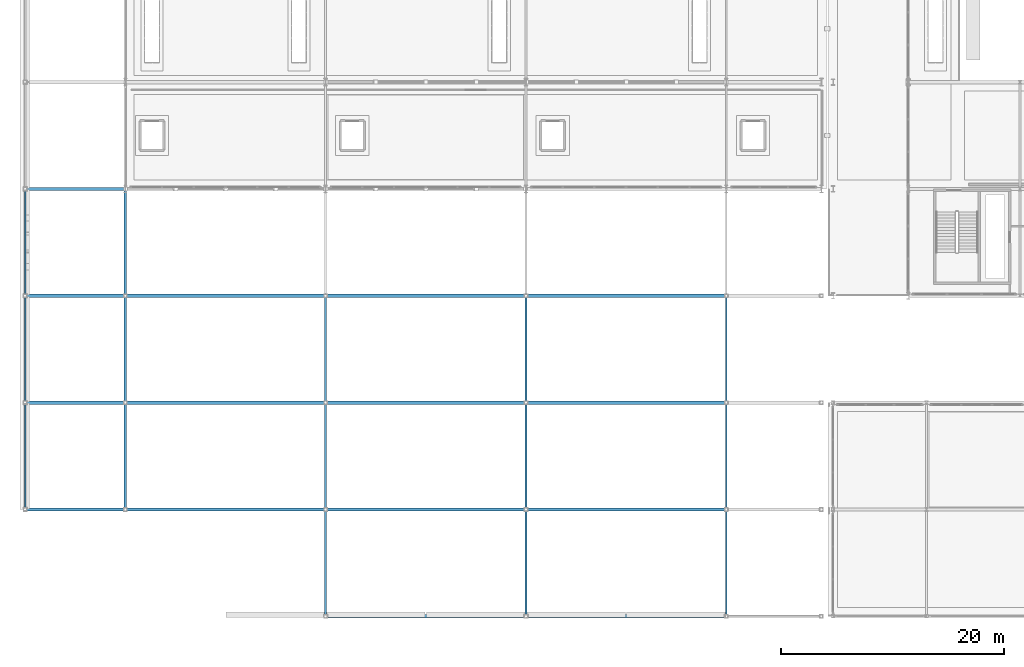
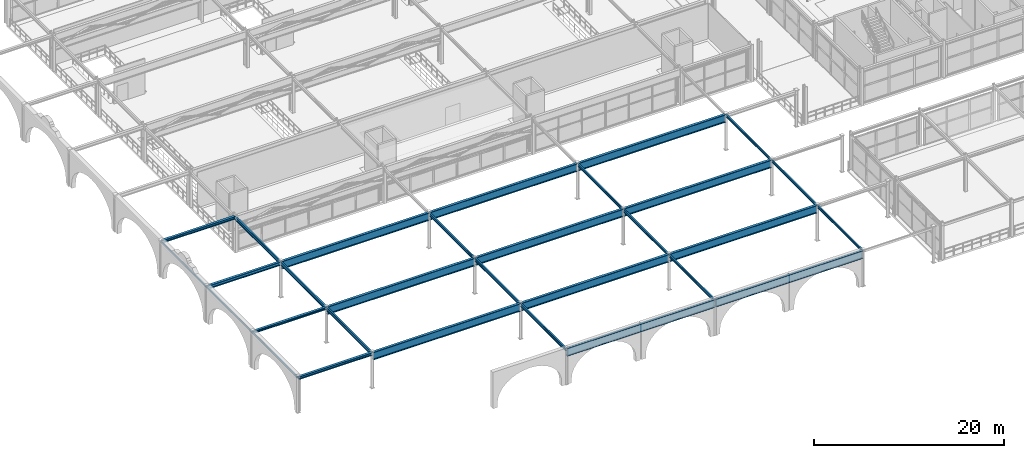
# One storey, part 23 of 125: 30 beams.
"""IFC4 building model written with IfcOpenShell, lengths in metres."""

from ifc_helpers import new_model, si_unit, direction, frame, origin, origin_2d, place, context, subcontext, project, spatial, hollow_rectangle, i_section, extrude, material, material_profile, profile_set, type_object, element, save


model = new_model("IFC4")

# Units and contexts
model_context = context("Model", 3, precision=1e-05, world=origin(), true_north=direction((0.0, 1.0)))
body_context = subcontext(model_context, "Body", "Model", "MODEL_VIEW")
ifc_project = project(units=[si_unit("LENGTHUNIT", "METRE"), si_unit("AREAUNIT", "SQUARE_METRE"), si_unit("VOLUMEUNIT", "CUBIC_METRE"), si_unit("PLANEANGLEUNIT", "RADIAN"), si_unit("MASSUNIT", "GRAM", prefix="KILO")], contexts=[model_context])

# Site, building, storey
site_placement = place(None, origin())
site = spatial("IfcSite", under=ifc_project, at=site_placement, CompositionType="ELEMENT")
building_placement = place(site_placement, origin())
building = spatial("IfcBuilding", under=site, at=building_placement, Name="Myrtia Square Station", CompositionType="ELEMENT")
storey_placement = place(building_placement, frame((0.0, 0.0, 6.0)))
storey = spatial("IfcBuildingStorey", under=building, at=storey_placement, Name="L01", CompositionType="ELEMENT", Elevation=6.0)

# Beams
ifc_material = material(Name="Steel S355", Category="steel")
ifc_material_profile_1 = material_profile(ifc_material, i_section(OverallWidth=0.300048828125, OverallDepth=0.35009765625, WebThickness=0.010009765625, FlangeThickness=0.017578125, FilletRadius=0.027099609375, at=origin_2d()), Name="HEA 360")
ifc_profile_set_1 = profile_set([ifc_material_profile_1], Name="Steel S355")
beam_type_1 = type_object("IfcBeamType", Name="BM-HEA360", PredefinedType="BEAM", material=ifc_profile_set_1)
beam_1_placement = place(storey_placement, frame((0.050048828125, 38.39990234375, 4.3798828125), z_axis=(1.0, 0.0, 0.0), x_axis=(0.0, 1.0, 0.0)))
element("IfcBeam", 1, at=beam_1_placement, inside=storey, type_object=beam_type_1, Name="Structural girder BMX-L01-0466", PredefinedType="BEAM", context=body_context, shape_type="SweptSolid", body=[
    extrude(i_section(OverallWidth=0.300048828125, OverallDepth=0.35009765625, WebThickness=0.010009765625, FlangeThickness=0.017578125, FilletRadius=0.027099609375, at=origin_2d()), origin(), (0.0, 0.0, 1.0), 8.89990234375),
])
ifc_material_profile_2 = material_profile(ifc_material, i_section(OverallWidth=0.300048828125, OverallDepth=0.43994140625, WebThickness=0.011474609375, FlangeThickness=0.02099609375, FilletRadius=0.027099609375, at=origin_2d()), Name="HEA 450")
ifc_profile_set_2 = profile_set([ifc_material_profile_2], Name="Steel S355")
beam_type_2 = type_object("IfcBeamType", Name="BM-HEA450", PredefinedType="BEAM", material=ifc_profile_set_2)
beam_2_placement = place(storey_placement, frame((0.050048828125, 28.800048828125, 4.3349609375), z_axis=(1.0, 0.0, 0.0), x_axis=(0.0, 1.0, 0.0)))
element("IfcBeam", 2, at=beam_2_placement, inside=storey, type_object=beam_type_2, Name="Structural girder BMX-L01-0464", PredefinedType="BEAM", context=body_context, shape_type="SweptSolid", body=[
    extrude(i_section(OverallWidth=0.300048828125, OverallDepth=0.43994140625, WebThickness=0.011474609375, FlangeThickness=0.02099609375, FilletRadius=0.027099609375, at=origin_2d()), origin(), (0.0, 0.0, 1.0), 8.89990234375),
])
ifc_material_profile_3 = material_profile(ifc_material, i_section(OverallWidth=0.300048828125, OverallDepth=0.300048828125, WebThickness=0.010986328125, FlangeThickness=0.01904296875, FilletRadius=0.027099609375, at=origin_2d()), Name="HEB 300")
ifc_profile_set_3 = profile_set([ifc_material_profile_3], Name="Steel S355")
beam_type_3 = type_object("IfcBeamType", Name="BM-HEB300", PredefinedType="BEAM", material=ifc_profile_set_3)
beam_3_placement = place(storey_placement, frame((0.050048828125, 19.199951171875, 4.405029296875), z_axis=(1.0, 0.0, 0.0), x_axis=(0.0, 1.0, 0.0)))
element("IfcBeam", 3, at=beam_3_placement, inside=storey, type_object=beam_type_3, Name="Structural girder BMX-L01-0462", PredefinedType="BEAM", context=body_context, shape_type="SweptSolid", body=[
    extrude(i_section(OverallWidth=0.300048828125, OverallDepth=0.300048828125, WebThickness=0.010986328125, FlangeThickness=0.01904296875, FilletRadius=0.027099609375, at=origin_2d()), origin(), (0.0, 0.0, 1.0), 8.89990234375),
])
ifc_material_profile_4 = material_profile(ifc_material, i_section(OverallWidth=0.300048828125, OverallDepth=0.360107421875, WebThickness=0.012451171875, FlangeThickness=0.0224609375, FilletRadius=0.027099609375, at=origin_2d()), Name="HEB 360")
ifc_profile_set_4 = profile_set([ifc_material_profile_4], Name="Steel S355")
beam_type_4 = type_object("IfcBeamType", Name="BM-HEB360", PredefinedType="BEAM", material=ifc_profile_set_4)
beam_4_placement = place(storey_placement, frame((0.050048828125, 9.60009765625, 4.375), z_axis=(1.0, 0.0, 0.0), x_axis=(0.0, 1.0, 0.0)))
element("IfcBeam", 4, at=beam_4_placement, inside=storey, type_object=beam_type_4, Name="Structural girder BMX-L01-0460", PredefinedType="BEAM", context=body_context, shape_type="SweptSolid", body=[
    extrude(i_section(OverallWidth=0.300048828125, OverallDepth=0.360107421875, WebThickness=0.012451171875, FlangeThickness=0.0224609375, FilletRadius=0.027099609375, at=origin_2d()), origin(), (0.0, 0.0, 1.0), 8.89990234375),
])
ifc_material_profile_5 = material_profile(ifc_material, i_section(OverallWidth=0.159912109375, OverallDepth=0.330078125, WebThickness=0.007568359375, FlangeThickness=0.011474609375, FilletRadius=0.01806640625, at=origin_2d()), Name="IPE 330")
ifc_profile_set_5 = profile_set([ifc_material_profile_5], Name="Steel S355")
beam_type_5 = type_object("IfcBeamType", Name="BM-IPE330", PredefinedType="BEAM", material=ifc_profile_set_5)
for number, where, z_axis, x_axis, name in (
    (5, (63.0, 0.050048828125, 4.389892578125), (0.0, 1.0, 0.0), (-1.0, 0.0, 0.0), "Structural girder BMY-L01-0521"),
    (6, (63.0, 9.64990234375, 4.389892578125), (0.0, 1.0, 0.0), (-1.0, 0.0, 0.0), "Structural girder BMY-L01-0522"),
    (7, (63.0, 19.25, 4.389892578125), (0.0, 1.0, 0.0), (-1.0, 0.0, 0.0), "Structural girder BMY-L01-0523"),
):
    element("IfcBeam", number, at=place(storey_placement, frame(where, z_axis=z_axis, x_axis=x_axis)), inside=storey, type_object=beam_type_5, Name=name, PredefinedType="BEAM", context=body_context, shape_type="SweptSolid", body=[
        extrude(i_section(OverallWidth=0.159912109375, OverallDepth=0.330078125, WebThickness=0.007568359375, FlangeThickness=0.011474609375, FilletRadius=0.01806640625, at=origin_2d()), origin(), (0.0, 0.0, 1.0), 9.5),
    ])
ifc_material_profile_6 = material_profile(ifc_material, i_section(OverallWidth=0.169921875, OverallDepth=0.360107421875, WebThickness=0.008056640625, FlangeThickness=0.0126953125, FilletRadius=0.01806640625, at=origin_2d()), Name="IPE 360")
ifc_profile_set_6 = profile_set([ifc_material_profile_6], Name="Steel S355")
beam_type_6 = type_object("IfcBeamType", Name="BM-IPE360", PredefinedType="BEAM", material=ifc_profile_set_6)
for number, where, z_axis, x_axis, name in (
    (8, (45.0, 0.050048828125, 4.375), (0.0, 1.0, 0.0), (-1.0, 0.0, 0.0), "Structural girder BMY-L01-0508"),
    (9, (45.0, 9.64990234375, 4.375), (0.0, 1.0, 0.0), (-1.0, 0.0, 0.0), "Structural girder BMY-L01-0509"),
    (10, (45.0, 19.25, 4.375), (0.0, 1.0, 0.0), (-1.0, 0.0, 0.0), "Structural girder BMY-L01-0510"),
):
    element("IfcBeam", number, at=place(storey_placement, frame(where, z_axis=z_axis, x_axis=x_axis)), inside=storey, type_object=beam_type_6, Name=name, PredefinedType="BEAM", context=body_context, shape_type="SweptSolid", body=[
        extrude(i_section(OverallWidth=0.169921875, OverallDepth=0.360107421875, WebThickness=0.008056640625, FlangeThickness=0.0126953125, FilletRadius=0.01806640625, at=origin_2d()), origin(), (0.0, 0.0, 1.0), 9.5),
    ])
ifc_material_profile_7 = material_profile(ifc_material, i_section(OverallWidth=0.179931640625, OverallDepth=0.39990234375, WebThickness=0.008544921875, FlangeThickness=0.013427734375, FilletRadius=0.02099609375, at=origin_2d()), Name="IPE 400")
ifc_profile_set_7 = profile_set([ifc_material_profile_7], Name="Steel S355")
beam_type_7 = type_object("IfcBeamType", Name="BM-IPE400", PredefinedType="BEAM", material=ifc_profile_set_7)
for number, where, z_axis, x_axis, name in (
    (11, (27.0, 0.050048828125, 4.35498046875), (0.0, 1.0, 0.0), (-1.0, 0.0, 0.0), "Structural girder BMY-L01-0495"),
    (12, (27.0, 9.64990234375, 4.35498046875), (0.0, 1.0, 0.0), (-1.0, 0.0, 0.0), "Structural girder BMY-L01-0496"),
    (13, (27.0, 19.25, 4.35498046875), (0.0, 1.0, 0.0), (-1.0, 0.0, 0.0), "Structural girder BMY-L01-0497"),
):
    element("IfcBeam", number, at=place(storey_placement, frame(where, z_axis=z_axis, x_axis=x_axis)), inside=storey, type_object=beam_type_7, Name=name, PredefinedType="BEAM", context=body_context, shape_type="SweptSolid", body=[
        extrude(i_section(OverallWidth=0.179931640625, OverallDepth=0.39990234375, WebThickness=0.008544921875, FlangeThickness=0.013427734375, FilletRadius=0.02099609375, at=origin_2d()), origin(), (0.0, 0.0, 1.0), 9.5),
    ])
ifc_material_profile_8 = material_profile(ifc_material, i_section(OverallWidth=0.18994140625, OverallDepth=0.449951171875, WebThickness=0.009521484375, FlangeThickness=0.0146484375, FilletRadius=0.02099609375, at=origin_2d()), Name="IPE 450")
ifc_profile_set_8 = profile_set([ifc_material_profile_8], Name="Steel S355")
beam_type_8 = type_object("IfcBeamType", Name="BM-IPE450", PredefinedType="BEAM", material=ifc_profile_set_8)
for number, where, z_axis, x_axis, name in (
    (14, (9.0, 9.64990234375, 4.330078125), (0.0, 1.0, 0.0), (-1.0, 0.0, 0.0), "Structural girder BMY-L01-0484"),
    (15, (9.0, 19.25, 4.330078125), (0.0, 1.0, 0.0), (-1.0, 0.0, 0.0), "Structural girder BMY-L01-0485"),
    (16, (9.0, 28.85009765625, 4.330078125), (0.0, 1.0, 0.0), (-1.0, 0.0, 0.0), "Structural girder BMY-L01-0486"),
):
    element("IfcBeam", number, at=place(storey_placement, frame(where, z_axis=z_axis, x_axis=x_axis)), inside=storey, type_object=beam_type_8, Name=name, PredefinedType="BEAM", context=body_context, shape_type="SweptSolid", body=[
        extrude(i_section(OverallWidth=0.18994140625, OverallDepth=0.449951171875, WebThickness=0.009521484375, FlangeThickness=0.0146484375, FilletRadius=0.02099609375, at=origin_2d()), origin(), (0.0, 0.0, 1.0), 9.5),
    ])
ifc_material_profile_9 = material_profile(ifc_material, hollow_rectangle(XDim=0.14990234375, YDim=0.25, WallThickness=0.012451171875, InnerFilletRadius=0.012451171875, OuterFilletRadius=0.02490234375, at=origin_2d()), Name="RHS 250x150x12.5")
ifc_profile_set_9 = profile_set([ifc_material_profile_9], Name="Steel S355")
beam_type_9 = type_object("IfcBeamType", Name="SPN-RHS250", PredefinedType="SPANDREL", material=ifc_profile_set_9)
for number, where, z_axis, x_axis, name in (
    (17, (0.0, 9.64990234375, 4.429931640625), (0.0, 1.0, 0.0), (-1.0, 0.0, 0.0), "Structural girder SPNY-L01-0140"),
    (18, (0.0, 19.25, 4.429931640625), (0.0, 1.0, 0.0), (-1.0, 0.0, 0.0), "Structural girder SPNY-L01-0141"),
    (19, (0.0, 28.85009765625, 4.429931640625), (0.0, 1.0, 0.0), (-1.0, 0.0, 0.0), "Structural girder SPNY-L01-0142"),
):
    element("IfcBeam", number, at=place(storey_placement, frame(where, z_axis=z_axis, x_axis=x_axis)), inside=storey, type_object=beam_type_9, Name=name, PredefinedType="SPANDREL", context=body_context, shape_type="SweptSolid", body=[
        extrude(hollow_rectangle(XDim=0.14990234375, YDim=0.25, WallThickness=0.012451171875, InnerFilletRadius=0.012451171875, OuterFilletRadius=0.02490234375, at=origin_2d()), origin(), (0.0, 0.0, 1.0), 9.5),
    ])
ifc_material_profile_10 = material_profile(ifc_material, i_section(OverallWidth=0.300048828125, OverallDepth=1.0, WebThickness=0.01904296875, FlangeThickness=0.035888671875, FilletRadius=0.030029296875, at=origin_2d()), Name="HEB 1000")
ifc_profile_set_10 = profile_set([ifc_material_profile_10], Name="Steel S355")
beam_type_10 = type_object("IfcBeamType", Name="TG-HEB1000", PredefinedType="USERDEFINED", material=ifc_profile_set_10)
for number, where, z_axis, x_axis, name in (
    (20, (27.050048828125, 0.0, 4.054931640625), (1.0, 0.0, 0.0), (0.0, 1.0, 0.0), "Structural girder TG-L01-0098"),
    (21, (45.050048828125, 0.0, 4.054931640625), (1.0, 0.0, 0.0), (0.0, 1.0, 0.0), "Structural girder TG-L01-0099"),
    (22, (9.050048828125, 9.60009765625, 4.054931640625), (1.0, 0.0, 0.0), (0.0, 1.0, 0.0), "Structural girder TG-L01-0100"),
    (23, (27.050048828125, 9.60009765625, 4.054931640625), (1.0, 0.0, 0.0), (0.0, 1.0, 0.0), "Structural girder TG-L01-0101"),
    (24, (45.050048828125, 9.60009765625, 4.054931640625), (1.0, 0.0, 0.0), (0.0, 1.0, 0.0), "Structural girder TG-L01-0102"),
    (25, (9.050048828125, 19.199951171875, 4.054931640625), (1.0, 0.0, 0.0), (0.0, 1.0, 0.0), "Structural girder TG-L01-0103"),
    (26, (27.050048828125, 19.199951171875, 4.054931640625), (1.0, 0.0, 0.0), (0.0, 1.0, 0.0), "Structural girder TG-L01-0104"),
    (27, (45.050048828125, 19.199951171875, 4.054931640625), (1.0, 0.0, 0.0), (0.0, 1.0, 0.0), "Structural girder TG-L01-0105"),
    (28, (9.050048828125, 28.800048828125, 4.054931640625), (1.0, 0.0, 0.0), (0.0, 1.0, 0.0), "Structural girder TG-L01-0106"),
    (29, (27.050048828125, 28.800048828125, 4.054931640625), (1.0, 0.0, 0.0), (0.0, 1.0, 0.0), "Structural girder TG-L01-0107"),
    (30, (45.050048828125, 28.800048828125, 4.054931640625), (1.0, 0.0, 0.0), (0.0, 1.0, 0.0), "Structural girder TG-L01-0108"),
):
    element("IfcBeam", number, at=place(storey_placement, frame(where, z_axis=z_axis, x_axis=x_axis)), inside=storey, type_object=beam_type_10, Name=name, ObjectType="TRANSFER GIRDER", PredefinedType="USERDEFINED", context=body_context, shape_type="SweptSolid", body=[
        extrude(i_section(OverallWidth=0.300048828125, OverallDepth=1.0, WebThickness=0.01904296875, FlangeThickness=0.035888671875, FilletRadius=0.030029296875, at=origin_2d()), origin(), (0.0, 0.0, 1.0), 17.89990234375),
    ])

save(model, "model.ifc")
